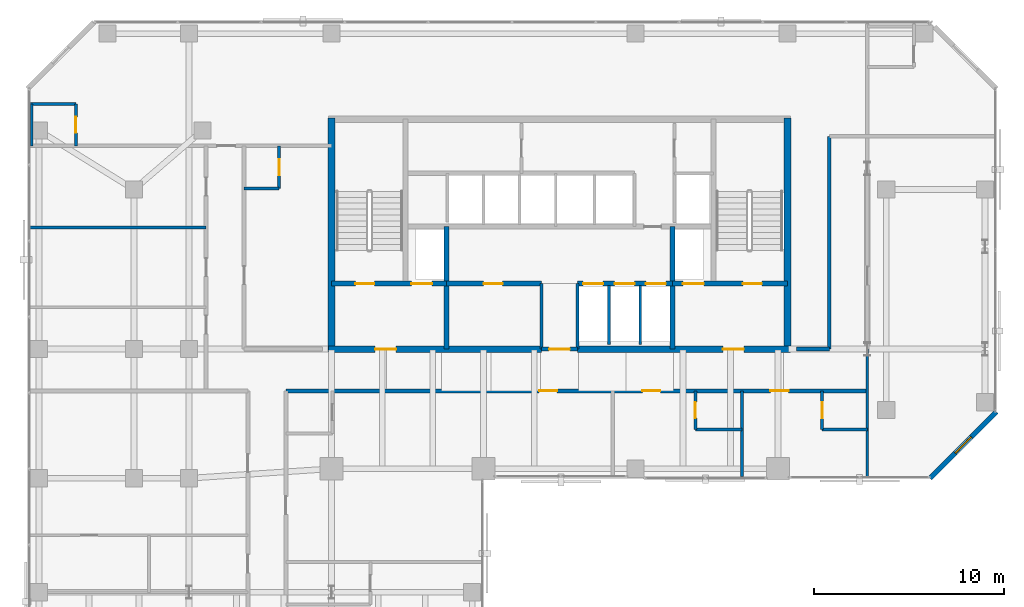
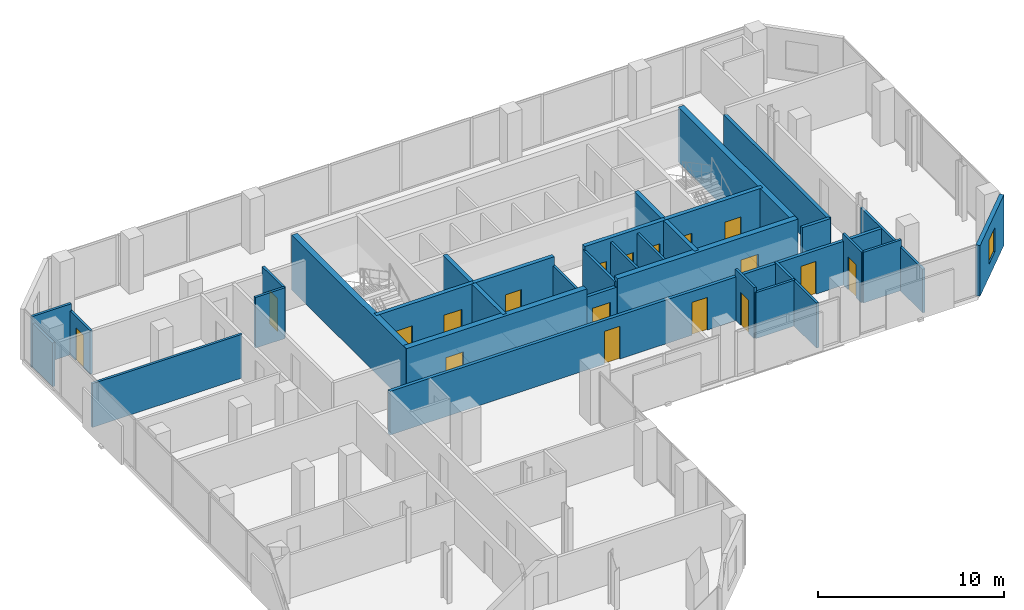
# One storey, part 29 of 34: 31 walls, 18 doors, 1 window, 19 openings.
"""IFC4 building model written with IfcOpenShell, lengths in metres."""

from ifc_helpers import new_model, si_unit, direction, frame, frame_2d, origin, place, context, subcontext, project, spatial, rectangle, extrude, material, layer, layer_set, type_object, element, fill, save


model = new_model("IFC4")

# Units and contexts
model_context = context("Model", 3, precision=1e-05, world=origin(), true_north=direction((0.0, 1.0)))
body_context = subcontext(model_context, "Body", "Model", "MODEL_VIEW")
ifc_project = project(units=[si_unit("LENGTHUNIT", "METRE"), si_unit("AREAUNIT", "SQUARE_METRE"), si_unit("VOLUMEUNIT", "CUBIC_METRE"), si_unit("PLANEANGLEUNIT", "RADIAN"), si_unit("MASSUNIT", "GRAM", prefix="KILO")], contexts=[model_context])

# Site, building, storey
site_placement = place(None, origin())
site = spatial("IfcSite", under=ifc_project, at=site_placement, CompositionType="ELEMENT")
building_placement = place(site_placement, origin())
building = spatial("IfcBuilding", under=site, at=building_placement, Name="Catumbela Crestline Tower", CompositionType="ELEMENT")
storey_placement = place(building_placement, frame((0.0, 0.0, 115.2)))
storey = spatial("IfcBuildingStorey", under=building, at=storey_placement, Name="L29", CompositionType="ELEMENT", Elevation=115.2)

# Walls
ifc_material_1 = material(Name="Concrete C50/60", Category="concrete")
ifc_layer_1 = layer(ifc_material_1, 0.25, Name="Concrete C50/60")
ifc_layer_set_1 = layer_set([ifc_layer_1], Name="Concrete C50/60")
wall_type_1 = type_object("IfcWallType", Name="CW-250D", PredefinedType="SHEAR", material=ifc_layer_set_1)
for number, where, z_axis, x_axis, name in (
    (1, (22.05, 30.8, 0.0), (0.0, 0.0, 1.0), (0.0, 1.0, 0.0), "L29 Structural Core Shear Wall FFW"),
    (2, (33.95, 30.8, 0.0), (0.0, 0.0, 1.0), (0.0, 1.0, 0.0), "L29 Structural Core Shear Wall FFE"),
):
    element("IfcWall", number, at=place(storey_placement, frame(where, z_axis=z_axis, x_axis=x_axis)), inside=storey, type_object=wall_type_1, Name=name, PredefinedType="SHEAR", context=body_context, shape_type="SweptSolid", body=[
        extrude(rectangle(XDim=6.45, YDim=0.25, at=frame_2d((3.225, 0.0))), origin(), (0.0, 0.0, 1.0), 3.6),
    ])

# Wall, openings, doors
wall_1_placement = place(storey_placement, frame((16.0, 34.25, 0.0), z_axis=(0.0, 0.0, 1.0), x_axis=(1.0, 0.0, 0.0)))
wall_1 = element("IfcWall", 3, at=wall_1_placement, inside=storey, type_object=wall_type_1, Name="L29 Structural Core Shear Wall ST1S", PredefinedType="SHEAR", context=body_context, shape_type="SweptSolid", body=[
    extrude(rectangle(XDim=6.05, YDim=0.25, at=frame_2d((3.025, 0.0))), origin(), (0.0, 0.0, 1.0), 3.6),
])
opening_1_placement = place(wall_1_placement, frame((1.25, 0.0, 0.0)))
opening_1 = element("IfcOpeningElement", 4, at=opening_1_placement, cuts=wall_1, Name="Opening DF9-100", PredefinedType="OPENING", context=body_context, shape_type="SweptSolid", body=[
    extrude(rectangle(XDim=1.0, YDim=2.15, at=frame_2d((0.5, 1.075))), frame((0.0, 0.135, 0.0), z_axis=(0.0, -1.0, 0.0), x_axis=(1.0, 0.0, 0.0)), (0.0, 0.0, 1.0), 0.27),
])
opening_2_placement = place(wall_1_placement, frame((4.2, 0.0, 0.0)))
opening_2 = element("IfcOpeningElement", 5, at=opening_2_placement, cuts=wall_1, Name="Opening LD-110", PredefinedType="OPENING", context=body_context, shape_type="SweptSolid", body=[
    extrude(rectangle(XDim=1.1, YDim=2.15, at=frame_2d((0.55, 1.075))), frame((0.0, 0.135, 0.0), z_axis=(0.0, -1.0, 0.0), x_axis=(1.0, 0.0, 0.0)), (0.0, 0.0, 1.0), 0.27),
])
ifc_material_2 = material(Name="Stainless steel EN 1.4401", Category="steel")
door_type_1 = type_object("IfcDoorType", Name="DF9-100", OperationType="NOTDEFINED", PredefinedType="DOOR", material=ifc_material_2)
door_1_placement = place(opening_1_placement, origin())
door_1 = element("IfcDoor", 6, at=door_1_placement, inside=storey, type_object=door_type_1, Name="L29 Interior Door DR-L29-ST01", OperationType="SINGLE_SWING_LEFT", OverallHeight=2.15, OverallWidth=1.0, PredefinedType="DOOR", context=body_context, shape_type="SweptSolid", body=[
    extrude(rectangle(XDim=1.0, YDim=2.15, at=frame_2d((0.5, 1.075))), frame((0.0, 0.025, 0.0), z_axis=(0.0, -1.0, 0.0), x_axis=(1.0, 0.0, 0.0)), (0.0, 0.0, 1.0), 0.05),
])
fill(opening_1, door_1)
door_type_2 = type_object("IfcDoorType", Name="LD-110", OperationType="NOTDEFINED", PredefinedType="DOOR", material=ifc_material_2)
door_2_placement = place(opening_2_placement, origin())
door_2 = element("IfcDoor", 7, at=door_2_placement, inside=storey, type_object=door_type_2, Name="L29 Lift Landing Sliding Door FL-01", OperationType="DOUBLE_DOOR_SLIDING", OverallHeight=2.15, OverallWidth=1.1, PredefinedType="DOOR", context=body_context, shape_type="SweptSolid", body=[
    extrude(rectangle(XDim=1.1, YDim=2.15, at=frame_2d((0.55, 1.075))), frame((0.0, 0.025, 0.0), z_axis=(0.0, -1.0, 0.0), x_axis=(1.0, 0.0, 0.0)), (0.0, 0.0, 1.0), 0.05),
])
fill(opening_2, door_2)

wall_2_placement = place(storey_placement, frame((33.95, 34.25, 0.0), z_axis=(0.0, 0.0, 1.0), x_axis=(1.0, 0.0, 0.0)))
wall_2 = element("IfcWall", 8, at=wall_2_placement, inside=storey, type_object=wall_type_1, Name="L29 Structural Core Shear Wall ST2S", PredefinedType="SHEAR", context=body_context, shape_type="SweptSolid", body=[
    extrude(rectangle(XDim=6.05, YDim=0.25, at=frame_2d((3.025, 0.0))), origin(), (0.0, 0.0, 1.0), 3.6),
])
opening_3_placement = place(wall_2_placement, frame((3.7, 0.0, 0.0)))
opening_3 = element("IfcOpeningElement", 9, at=opening_3_placement, cuts=wall_2, Name="Opening DF9-100", PredefinedType="OPENING", context=body_context, shape_type="SweptSolid", body=[
    extrude(rectangle(XDim=1.0, YDim=2.15, at=frame_2d((0.5, 1.075))), frame((0.0, 0.135, 0.0), z_axis=(0.0, -1.0, 0.0), x_axis=(1.0, 0.0, 0.0)), (0.0, 0.0, 1.0), 0.27),
])
opening_4_placement = place(wall_2_placement, frame((0.55, 0.0, 0.0)))
opening_4 = element("IfcOpeningElement", 10, at=opening_4_placement, cuts=wall_2, Name="Opening LD-110", PredefinedType="OPENING", context=body_context, shape_type="SweptSolid", body=[
    extrude(rectangle(XDim=1.1, YDim=2.15, at=frame_2d((0.55, 1.075))), frame((0.0, 0.135, 0.0), z_axis=(0.0, -1.0, 0.0), x_axis=(1.0, 0.0, 0.0)), (0.0, 0.0, 1.0), 0.27),
])
door_3_placement = place(opening_3_placement, origin())
door_3 = element("IfcDoor", 11, at=door_3_placement, inside=storey, type_object=door_type_1, Name="L29 Interior Door DR-L29-ST02", OperationType="SINGLE_SWING_RIGHT", OverallHeight=2.15, OverallWidth=1.0, PredefinedType="DOOR", context=body_context, shape_type="SweptSolid", body=[
    extrude(rectangle(XDim=1.0, YDim=2.15, at=frame_2d((0.5, 1.075))), frame((0.0, 0.025, 0.0), z_axis=(0.0, -1.0, 0.0), x_axis=(1.0, 0.0, 0.0)), (0.0, 0.0, 1.0), 0.05),
])
fill(opening_3, door_3)
door_4_placement = place(opening_4_placement, origin())
door_4 = element("IfcDoor", 12, at=door_4_placement, inside=storey, type_object=door_type_2, Name="L29 Lift Landing Sliding Door FL-02", OperationType="DOUBLE_DOOR_SLIDING", OverallHeight=2.15, OverallWidth=1.1, PredefinedType="DOOR", context=body_context, shape_type="SweptSolid", body=[
    extrude(rectangle(XDim=1.1, YDim=2.15, at=frame_2d((0.55, 1.075))), frame((0.0, 0.025, 0.0), z_axis=(0.0, -1.0, 0.0), x_axis=(1.0, 0.0, 0.0)), (0.0, 0.0, 1.0), 0.05),
])
fill(opening_4, door_4)

# Wall, opening, door
wall_3_placement = place(storey_placement, frame((22.05, 34.25, 0.0), z_axis=(0.0, 0.0, 1.0), x_axis=(1.0, 0.0, 0.0)))
wall_3 = element("IfcWall", 13, at=wall_3_placement, inside=storey, type_object=wall_type_1, Name="L29 Structural Core Shear Wall LIFTS-W", PredefinedType="SHEAR", context=body_context, shape_type="SweptSolid", body=[
    extrude(rectangle(XDim=5.0, YDim=0.25, at=frame_2d((2.5, 0.0))), origin(), (0.0, 0.0, 1.0), 3.6),
])
opening_5_placement = place(wall_3_placement, frame((1.95, 0.0, 0.0)))
opening_5 = element("IfcOpeningElement", 14, at=opening_5_placement, cuts=wall_3, Name="Opening DF9-100", PredefinedType="OPENING", context=body_context, shape_type="SweptSolid", body=[
    extrude(rectangle(XDim=1.0, YDim=2.15, at=frame_2d((0.5, 1.075))), frame((0.0, 0.135, 0.0), z_axis=(0.0, -1.0, 0.0), x_axis=(1.0, 0.0, 0.0)), (0.0, 0.0, 1.0), 0.27),
])
door_5_placement = place(opening_5_placement, origin())
door_5 = element("IfcDoor", 15, at=door_5_placement, inside=storey, type_object=door_type_1, Name="L29 Interior Door DR-L29-RECL1", OperationType="SINGLE_SWING_LEFT", OverallHeight=2.15, OverallWidth=1.0, PredefinedType="DOOR", context=body_context, shape_type="SweptSolid", body=[
    extrude(rectangle(XDim=1.0, YDim=2.15, at=frame_2d((0.5, 1.075))), frame((0.0, 0.025, 0.0), z_axis=(0.0, -1.0, 0.0), x_axis=(1.0, 0.0, 0.0)), (0.0, 0.0, 1.0), 0.05),
])
fill(opening_5, door_5)

# Wall, openings, doors
wall_4_placement = place(storey_placement, frame((28.95, 34.25, 0.0), z_axis=(0.0, 0.0, 1.0), x_axis=(1.0, 0.0, 0.0)))
wall_4 = element("IfcWall", 16, at=wall_4_placement, inside=storey, type_object=wall_type_1, Name="L29 Structural Core Shear Wall LIFTS-E", PredefinedType="SHEAR", context=body_context, shape_type="SweptSolid", body=[
    extrude(rectangle(XDim=5.0, YDim=0.25, at=frame_2d((2.5, 0.0))), origin(), (0.0, 0.0, 1.0), 3.6),
])
opening_6_placement = place(wall_4_placement, frame((0.3, 0.0, 0.0)))
opening_6 = element("IfcOpeningElement", 17, at=opening_6_placement, cuts=wall_4, Name="Opening LD-105", PredefinedType="OPENING", context=body_context, shape_type="SweptSolid", body=[
    extrude(rectangle(XDim=1.05, YDim=2.15, at=frame_2d((0.525, 1.075))), frame((0.0, 0.135, 0.0), z_axis=(0.0, -1.0, 0.0), x_axis=(1.0, 0.0, 0.0)), (0.0, 0.0, 1.0), 0.27),
])
opening_7_placement = place(wall_4_placement, frame((1.95, 0.0, 0.0)))
opening_7 = element("IfcOpeningElement", 18, at=opening_7_placement, cuts=wall_4, Name="Opening LD-105", PredefinedType="OPENING", context=body_context, shape_type="SweptSolid", body=[
    extrude(rectangle(XDim=1.05, YDim=2.15, at=frame_2d((0.525, 1.075))), frame((0.0, 0.135, 0.0), z_axis=(0.0, -1.0, 0.0), x_axis=(1.0, 0.0, 0.0)), (0.0, 0.0, 1.0), 0.27),
])
opening_8_placement = place(wall_4_placement, frame((3.6, 0.0, 0.0)))
opening_8 = element("IfcOpeningElement", 19, at=opening_8_placement, cuts=wall_4, Name="Opening LD-105", PredefinedType="OPENING", context=body_context, shape_type="SweptSolid", body=[
    extrude(rectangle(XDim=1.05, YDim=2.15, at=frame_2d((0.525, 1.075))), frame((0.0, 0.135, 0.0), z_axis=(0.0, -1.0, 0.0), x_axis=(1.0, 0.0, 0.0)), (0.0, 0.0, 1.0), 0.27),
])
door_type_3 = type_object("IfcDoorType", Name="LD-105", OperationType="NOTDEFINED", PredefinedType="DOOR", material=ifc_material_2)
door_6_placement = place(opening_6_placement, origin())
door_6 = element("IfcDoor", 20, at=door_6_placement, inside=storey, type_object=door_type_3, Name="L29 Lift Landing Sliding Door PL-M1", OperationType="DOUBLE_DOOR_SLIDING", OverallHeight=2.15, OverallWidth=1.05, PredefinedType="DOOR", context=body_context, shape_type="SweptSolid", body=[
    extrude(rectangle(XDim=1.05, YDim=2.15, at=frame_2d((0.525, 1.075))), frame((0.0, 0.025, 0.0), z_axis=(0.0, -1.0, 0.0), x_axis=(1.0, 0.0, 0.0)), (0.0, 0.0, 1.0), 0.05),
])
fill(opening_6, door_6)
door_7_placement = place(opening_7_placement, origin())
door_7 = element("IfcDoor", 21, at=door_7_placement, inside=storey, type_object=door_type_3, Name="L29 Lift Landing Sliding Door PL-M2", OperationType="DOUBLE_DOOR_SLIDING", OverallHeight=2.15, OverallWidth=1.05, PredefinedType="DOOR", context=body_context, shape_type="SweptSolid", body=[
    extrude(rectangle(XDim=1.05, YDim=2.15, at=frame_2d((0.525, 1.075))), frame((0.0, 0.025, 0.0), z_axis=(0.0, -1.0, 0.0), x_axis=(1.0, 0.0, 0.0)), (0.0, 0.0, 1.0), 0.05),
])
fill(opening_7, door_7)
door_8_placement = place(opening_8_placement, origin())
door_8 = element("IfcDoor", 22, at=door_8_placement, inside=storey, type_object=door_type_3, Name="L29 Lift Landing Sliding Door PL-M3", OperationType="DOUBLE_DOOR_SLIDING", OverallHeight=2.15, OverallWidth=1.05, PredefinedType="DOOR", context=body_context, shape_type="SweptSolid", body=[
    extrude(rectangle(XDim=1.05, YDim=2.15, at=frame_2d((0.525, 1.075))), frame((0.0, 0.025, 0.0), z_axis=(0.0, -1.0, 0.0), x_axis=(1.0, 0.0, 0.0)), (0.0, 0.0, 1.0), 0.05),
])
fill(opening_8, door_8)

# Walls
ifc_layer_2 = layer(ifc_material_1, 0.35, Name="Concrete C50/60")
ifc_layer_set_2 = layer_set([ifc_layer_2], Name="Concrete C50/60")
wall_type_2 = type_object("IfcWallType", Name="CW-350B", PredefinedType="SHEAR", material=ifc_layer_set_2)
for number, where, z_axis, x_axis, name in (
    (23, (16.0, 30.65, 0.0), (0.0, 0.0, 1.0), (0.0, 1.0, 0.0), "L29 Structural Core Shear Wall W"),
    (24, (40.0, 30.65, 0.0), (0.0, 0.0, 1.0), (0.0, 1.0, 0.0), "L29 Structural Core Shear Wall E"),
):
    element("IfcWall", number, at=place(storey_placement, frame(where, z_axis=z_axis, x_axis=x_axis)), inside=storey, type_object=wall_type_2, Name=name, PredefinedType="SHEAR", context=body_context, shape_type="SweptSolid", body=[
        extrude(rectangle(XDim=12.3, YDim=0.35, at=frame_2d((6.15, 0.0))), origin(), (0.0, 0.0, 1.0), 3.6),
    ])

# Wall, opening, door
wall_5_placement = place(storey_placement, frame((15.85, 30.8, 0.0), z_axis=(0.0, 0.0, 1.0), x_axis=(1.0, 0.0, 0.0)))
wall_5 = element("IfcWall", 25, at=wall_5_placement, inside=storey, type_object=wall_type_2, Name="L29 Structural Core Shear Wall SW", PredefinedType="SHEAR", context=body_context, shape_type="SweptSolid", body=[
    extrude(rectangle(XDim=11.2, YDim=0.35, at=frame_2d((5.6, 0.0))), origin(), (0.0, 0.0, 1.0), 3.6),
])
opening_9_placement = place(wall_5_placement, frame((2.45, 0.0, 0.0)))
opening_9 = element("IfcOpeningElement", 26, at=opening_9_placement, cuts=wall_5, Name="Opening DF9-110", PredefinedType="OPENING", context=body_context, shape_type="SweptSolid", body=[
    extrude(rectangle(XDim=1.1, YDim=2.15, at=frame_2d((0.55, 1.075))), frame((0.0, 0.185, 0.0), z_axis=(0.0, -1.0, 0.0), x_axis=(1.0, 0.0, 0.0)), (0.0, 0.0, 1.0), 0.37),
])
door_type_4 = type_object("IfcDoorType", Name="DF9-110", OperationType="NOTDEFINED", PredefinedType="DOOR", material=ifc_material_2)
door_9_placement = place(opening_9_placement, origin())
door_9 = element("IfcDoor", 27, at=door_9_placement, inside=storey, type_object=door_type_4, Name="L29 Interior Door DR-L29-FFW-S", OperationType="SINGLE_SWING_LEFT", OverallHeight=2.15, OverallWidth=1.1, PredefinedType="DOOR", context=body_context, shape_type="SweptSolid", body=[
    extrude(rectangle(XDim=1.1, YDim=2.15, at=frame_2d((0.55, 1.075))), frame((0.0, 0.025, 0.0), z_axis=(0.0, -1.0, 0.0), x_axis=(1.0, 0.0, 0.0)), (0.0, 0.0, 1.0), 0.05),
])
fill(opening_9, door_9)

wall_6_placement = place(storey_placement, frame((28.95, 30.8, 0.0), z_axis=(0.0, 0.0, 1.0), x_axis=(1.0, 0.0, 0.0)))
wall_6 = element("IfcWall", 28, at=wall_6_placement, inside=storey, type_object=wall_type_2, Name="L29 Structural Core Shear Wall SE", PredefinedType="SHEAR", context=body_context, shape_type="SweptSolid", body=[
    extrude(rectangle(XDim=11.2, YDim=0.35, at=frame_2d((5.6, 0.0))), origin(), (0.0, 0.0, 1.0), 3.6),
])
opening_10_placement = place(wall_6_placement, frame((7.65, 0.0, 0.0)))
opening_10 = element("IfcOpeningElement", 29, at=opening_10_placement, cuts=wall_6, Name="Opening DF9-110", PredefinedType="OPENING", context=body_context, shape_type="SweptSolid", body=[
    extrude(rectangle(XDim=1.1, YDim=2.15, at=frame_2d((0.55, 1.075))), frame((0.0, 0.185, 0.0), z_axis=(0.0, -1.0, 0.0), x_axis=(1.0, 0.0, 0.0)), (0.0, 0.0, 1.0), 0.37),
])
door_10_placement = place(opening_10_placement, origin())
door_10 = element("IfcDoor", 30, at=door_10_placement, inside=storey, type_object=door_type_4, Name="L29 Interior Door DR-L29-FFE-S", OperationType="SINGLE_SWING_RIGHT", OverallHeight=2.15, OverallWidth=1.1, PredefinedType="DOOR", context=body_context, shape_type="SweptSolid", body=[
    extrude(rectangle(XDim=1.1, YDim=2.15, at=frame_2d((0.55, 1.075))), frame((0.0, 0.025, 0.0), z_axis=(0.0, -1.0, 0.0), x_axis=(1.0, 0.0, 0.0)), (0.0, 0.0, 1.0), 0.05),
])
fill(opening_10, door_10)

ifc_material_3 = material(Name="Acoustic gypsum and mineral-wool partition")
ifc_layer_3 = layer(ifc_material_3, 0.2, Name="Acoustic gypsum and mineral-wool partition")
ifc_layer_set_3 = layer_set([ifc_layer_3], Name="Acoustic gypsum and mineral-wool partition")
wall_type_3 = type_object("IfcWallType", Name="WC-200", PredefinedType="PARTITIONING", material=ifc_layer_set_3)
wall_7_placement = place(storey_placement, frame((27.05, 30.8, 0.0), z_axis=(0.0, 0.0, 1.0), x_axis=(1.0, 0.0, 0.0)))
wall_7 = element("IfcWall", 31, at=wall_7_placement, inside=storey, type_object=wall_type_3, Name="L29 Interior Partition PW-L29-CLOBS", PredefinedType="PARTITIONING", context=body_context, shape_type="SweptSolid", body=[
    extrude(rectangle(XDim=1.9, YDim=0.2, at=frame_2d((0.95, 0.0))), origin(), (0.0, 0.0, 1.0), 3.01),
])
opening_11_placement = place(wall_7_placement, frame((0.4, 0.0, 0.0)))
opening_11 = element("IfcOpeningElement", 32, at=opening_11_placement, cuts=wall_7, Name="Opening DF9-110", PredefinedType="OPENING", context=body_context, shape_type="SweptSolid", body=[
    extrude(rectangle(XDim=1.1, YDim=2.15, at=frame_2d((0.55, 1.075))), frame((0.0, 0.11, 0.0), z_axis=(0.0, -1.0, 0.0), x_axis=(1.0, 0.0, 0.0)), (0.0, 0.0, 1.0), 0.22),
])
door_11_placement = place(opening_11_placement, origin())
door_11 = element("IfcDoor", 33, at=door_11_placement, inside=storey, type_object=door_type_4, Name="L29 Interior Door DR-L29-CLOBS", OperationType="SINGLE_SWING_LEFT", OverallHeight=2.15, OverallWidth=1.1, PredefinedType="DOOR", context=body_context, shape_type="SweptSolid", body=[
    extrude(rectangle(XDim=1.1, YDim=2.15, at=frame_2d((0.55, 1.075))), frame((0.0, 0.025, 0.0), z_axis=(0.0, -1.0, 0.0), x_axis=(1.0, 0.0, 0.0)), (0.0, 0.0, 1.0), 0.05),
])
fill(opening_11, door_11)

# Wall, openings, doors
wall_8_placement = place(storey_placement, frame((13.6, 28.6, 0.0), z_axis=(0.0, 0.0, 1.0), x_axis=(1.0, 0.0, 0.0)))
wall_8 = element("IfcWall", 34, at=wall_8_placement, inside=storey, type_object=wall_type_3, Name="L29 Interior Partition PW-L29-Z2CW-N2", PredefinedType="PARTITIONING", context=body_context, shape_type="SweptSolid", body=[
    extrude(rectangle(XDim=30.6, YDim=0.2, at=frame_2d((15.3, 0.0))), origin(), (0.0, 0.0, 1.0), 2.87),
])
opening_12_placement = place(wall_8_placement, frame((13.325, 0.0, 0.0)))
opening_12 = element("IfcOpeningElement", 35, at=opening_12_placement, cuts=wall_8, Name="Opening DF6-095", PredefinedType="OPENING", context=body_context, shape_type="SweptSolid", body=[
    extrude(rectangle(XDim=0.95, YDim=2.15, at=frame_2d((0.475, 1.075))), frame((0.0, 0.11, 0.0), z_axis=(0.0, -1.0, 0.0), x_axis=(1.0, 0.0, 0.0)), (0.0, 0.0, 1.0), 0.22),
])
opening_13_placement = place(wall_8_placement, frame((18.7609, 0.0, 0.0)))
opening_13 = element("IfcOpeningElement", 36, at=opening_13_placement, cuts=wall_8, Name="Opening DF6-095", PredefinedType="OPENING", context=body_context, shape_type="SweptSolid", body=[
    extrude(rectangle(XDim=0.95, YDim=2.15, at=frame_2d((0.475, 1.075))), frame((0.0, 0.11, 0.0), z_axis=(0.0, -1.0, 0.0), x_axis=(1.0, 0.0, 0.0)), (0.0, 0.0, 1.0), 0.22),
])
opening_14_placement = place(wall_8_placement, frame((25.5033, 0.0, 0.0)))
opening_14 = element("IfcOpeningElement", 37, at=opening_14_placement, cuts=wall_8, Name="Opening DF6-095", PredefinedType="OPENING", context=body_context, shape_type="SweptSolid", body=[
    extrude(rectangle(XDim=0.95, YDim=2.15, at=frame_2d((0.475, 1.075))), frame((0.0, 0.11, 0.0), z_axis=(0.0, -1.0, 0.0), x_axis=(1.0, 0.0, 0.0)), (0.0, 0.0, 1.0), 0.22),
])
ifc_material_4 = material(Name="Aluminium alloy AW-6060-T66", Category="aluminium")
door_type_5 = type_object("IfcDoorType", Name="DF6-095", OperationType="NOTDEFINED", PredefinedType="DOOR", material=ifc_material_4)
door_12_placement = place(opening_12_placement, origin())
door_12 = element("IfcDoor", 38, at=door_12_placement, inside=storey, type_object=door_type_5, Name="L29 Interior Door DR-L29-SS1-ENT", OperationType="SINGLE_SWING_RIGHT", OverallHeight=2.15, OverallWidth=0.95, PredefinedType="DOOR", context=body_context, shape_type="SweptSolid", body=[
    extrude(rectangle(XDim=0.95, YDim=2.15, at=frame_2d((0.475, 1.075))), frame((0.0, 0.025, 0.0), z_axis=(0.0, -1.0, 0.0), x_axis=(1.0, 0.0, 0.0)), (0.0, 0.0, 1.0), 0.05),
])
fill(opening_12, door_12)
door_13_placement = place(opening_13_placement, origin())
door_13 = element("IfcDoor", 39, at=door_13_placement, inside=storey, type_object=door_type_5, Name="L29 Interior Door DR-L29-SS2-ENT", OperationType="SINGLE_SWING_LEFT", OverallHeight=2.15, OverallWidth=0.95, PredefinedType="DOOR", context=body_context, shape_type="SweptSolid", body=[
    extrude(rectangle(XDim=0.95, YDim=2.15, at=frame_2d((0.475, 1.075))), frame((0.0, 0.025, 0.0), z_axis=(0.0, -1.0, 0.0), x_axis=(1.0, 0.0, 0.0)), (0.0, 0.0, 1.0), 0.05),
])
fill(opening_13, door_13)
door_14_placement = place(opening_14_placement, origin())
door_14 = element("IfcDoor", 40, at=door_14_placement, inside=storey, type_object=door_type_5, Name="L29 Interior Door DR-L29-SS3-ENT", OperationType="SINGLE_SWING_RIGHT", OverallHeight=2.15, OverallWidth=0.95, PredefinedType="DOOR", context=body_context, shape_type="SweptSolid", body=[
    extrude(rectangle(XDim=0.95, YDim=2.15, at=frame_2d((0.475, 1.075))), frame((0.0, 0.025, 0.0), z_axis=(0.0, -1.0, 0.0), x_axis=(1.0, 0.0, 0.0)), (0.0, 0.0, 1.0), 0.05),
])
fill(opening_14, door_14)

# Walls
wall_9_placement = place(storey_placement, frame((40.47, 30.8, 0.0), z_axis=(0.0, 0.0, 1.0), x_axis=(1.0, 0.0, 0.0)))
element("IfcWall", 41, at=wall_9_placement, inside=storey, type_object=wall_type_3, Name="L29 Interior Partition PW-L29-Z2CW-E1", PredefinedType="PARTITIONING", context=body_context, shape_type="SweptSolid", body=[
    extrude(rectangle(XDim=1.73, YDim=0.2, at=frame_2d((0.865, 0.0))), origin(), (0.0, 0.0, 1.0), 2.87),
])
wall_10_placement = place(storey_placement, frame((42.2, 30.8, 0.0), z_axis=(0.0, 0.0, 1.0), x_axis=(0.0, 1.0, 0.0)))
element("IfcWall", 42, at=wall_10_placement, inside=storey, type_object=wall_type_3, Name="L29 Interior Partition PW-L29-Z2CW-E2", PredefinedType="PARTITIONING", context=body_context, shape_type="SweptSolid", body=[
    extrude(rectangle(XDim=11.2, YDim=0.2, at=frame_2d((5.6, 0.0))), origin(), (0.0, 0.0, 1.0), 2.87),
])

# Wall, opening, window
ifc_material_5 = material(Name="Angolan grey-ochre granite", Category="masonry")
ifc_layer_4 = layer(ifc_material_5, 0.25, Name="Angolan grey-ochre granite")
ifc_layer_set_4 = layer_set([ifc_layer_4], Name="Angolan grey-ochre granite")
wall_type_4 = type_object("IfcWallType", Name="WE-250", PredefinedType="STANDARD", material=ifc_layer_set_4)
wall_11_placement = place(storey_placement, frame((47.5, 24.0, 0.0), z_axis=(0.0, 0.0, 1.0), x_axis=(0.707106781187, 0.707106781187, 0.0)))
wall_11 = element("IfcWall", 43, at=wall_11_placement, inside=storey, type_object=wall_type_4, Name="L29 Granite Punched Window Wall 4-1", PredefinedType="STANDARD", context=body_context, shape_type="SweptSolid", body=[
    extrude(rectangle(XDim=4.9497, YDim=0.25, at=frame_2d((2.4748, 0.0))), origin(), (0.0, 0.0, 1.0), 3.33),
])
opening_15_placement = place(wall_11_placement, frame((1.8748, 0.0, 0.85)))
opening_15 = element("IfcOpeningElement", 44, at=opening_15_placement, cuts=wall_11, Name="Opening WN-02", PredefinedType="OPENING", context=body_context, shape_type="SweptSolid", body=[
    extrude(rectangle(XDim=1.2, YDim=1.6, at=frame_2d((0.6, 0.8))), frame((0.0, 0.135, 0.0), z_axis=(0.0, -1.0, 0.0), x_axis=(1.0, 0.0, 0.0)), (0.0, 0.0, 1.0), 0.27),
])
ifc_material_6 = material(Name="Low-E laminated solar-control double glazing", Category="glass")
window_type = type_object("IfcWindowType", Name="WO-1200", PartitioningType="SINGLE_PANEL", PredefinedType="WINDOW", material=ifc_material_6)
window_placement = place(opening_15_placement, origin())
window = element("IfcWindow", 45, at=window_placement, inside=storey, type_object=window_type, Name="L29 Facade Vision Window 166", OverallHeight=1.6, OverallWidth=1.2, PartitioningType="SINGLE_PANEL", PredefinedType="WINDOW", context=body_context, shape_type="SweptSolid", body=[
    extrude(rectangle(XDim=1.2, YDim=1.6, at=frame_2d((0.6, 0.8))), frame((0.0, 0.03, 0.0), z_axis=(0.0, -1.0, 0.0), x_axis=(1.0, 0.0, 0.0)), (0.0, 0.0, 1.0), 0.06),
])
fill(opening_15, window)

# Wall
ifc_layer_5 = layer(ifc_material_3, 0.15, Name="Acoustic gypsum and mineral-wool partition")
ifc_layer_set_5 = layer_set([ifc_layer_5], Name="Acoustic gypsum and mineral-wool partition")
wall_type_5 = type_object("IfcWallType", Name="WP-150", PredefinedType="PARTITIONING", material=ifc_layer_set_5)
wall_12_placement = place(storey_placement, frame((0.1, 43.7, 0.0), z_axis=(0.0, 0.0, 1.0), x_axis=(1.0, 0.0, 0.0)))
element("IfcWall", 46, at=wall_12_placement, inside=storey, type_object=wall_type_5, Name="L29 Interior Partition PW-L29-Z2NWT-BHW", PredefinedType="PARTITIONING", context=body_context, shape_type="SweptSolid", body=[
    extrude(rectangle(XDim=2.45, YDim=0.15, at=frame_2d((1.225, 0.0))), origin(), (0.0, 0.0, 1.0), 3.33),
])

# Wall, opening, door
wall_13_placement = place(storey_placement, frame((2.55, 41.5, 0.0), z_axis=(0.0, 0.0, 1.0), x_axis=(0.0, 1.0, 0.0)))
wall_13 = element("IfcWall", 47, at=wall_13_placement, inside=storey, type_object=wall_type_5, Name="L29 Interior Partition PW-L29-Z2NWT-BEW", PredefinedType="PARTITIONING", context=body_context, shape_type="SweptSolid", body=[
    extrude(rectangle(XDim=2.2, YDim=0.15, at=frame_2d((1.1, 0.0))), origin(), (0.0, 0.0, 1.0), 2.87),
])
opening_16_placement = place(wall_13_placement, frame((0.675, 0.0, 0.0)))
opening_16 = element("IfcOpeningElement", 48, at=opening_16_placement, cuts=wall_13, Name="Opening DI-085", PredefinedType="OPENING", context=body_context, shape_type="SweptSolid", body=[
    extrude(rectangle(XDim=0.85, YDim=2.15, at=frame_2d((0.425, 1.075))), frame((0.0, 0.085, 0.0), z_axis=(0.0, -1.0, 0.0), x_axis=(1.0, 0.0, 0.0)), (0.0, 0.0, 1.0), 0.17),
])
door_type_6 = type_object("IfcDoorType", Name="DI-085", OperationType="NOTDEFINED", PredefinedType="DOOR", material=ifc_material_4)
door_15_placement = place(opening_16_placement, origin())
door_15 = element("IfcDoor", 49, at=door_15_placement, inside=storey, type_object=door_type_6, Name="L29 Interior Door DR-L29-Z2NWT-BTH", OperationType="SINGLE_SWING_LEFT", OverallHeight=2.15, OverallWidth=0.85, PredefinedType="DOOR", context=body_context, shape_type="SweptSolid", body=[
    extrude(rectangle(XDim=0.85, YDim=2.15, at=frame_2d((0.425, 1.075))), frame((0.0, 0.025, 0.0), z_axis=(0.0, -1.0, 0.0), x_axis=(1.0, 0.0, 0.0)), (0.0, 0.0, 1.0), 0.05),
])
fill(opening_16, door_15)

# Walls
wall_14_placement = place(storey_placement, frame((0.22, 41.5, 0.0), z_axis=(0.0, 0.0, 1.0), x_axis=(0.0, 1.0, 0.0)))
element("IfcWall", 50, at=wall_14_placement, inside=storey, type_object=wall_type_5, Name="L29 Interior Partition PW-L29-Z2NWT-BCL-2", PredefinedType="PARTITIONING", context=body_context, shape_type="SweptSolid", body=[
    extrude(rectangle(XDim=2.2, YDim=0.15, at=frame_2d((1.1, 0.0))), origin(), (0.0, 0.0, 1.0), 2.87),
])
wall_15_placement = place(storey_placement, frame((0.1, 37.2, 0.0), z_axis=(0.0, 0.0, 1.0), x_axis=(1.0, 0.0, 0.0)))
element("IfcWall", 51, at=wall_15_placement, inside=storey, type_object=wall_type_5, Name="L29 Interior Partition PW-L29-Z2G2-2", PredefinedType="PARTITIONING", context=body_context, shape_type="SweptSolid", body=[
    extrude(rectangle(XDim=9.3, YDim=0.15, at=frame_2d((4.65, 0.0))), origin(), (0.0, 0.0, 1.0), 2.87),
])
wall_16_placement = place(storey_placement, frame((11.4, 39.25, 0.0), z_axis=(0.0, 0.0, 1.0), x_axis=(1.0, 0.0, 0.0)))
element("IfcWall", 52, at=wall_16_placement, inside=storey, type_object=wall_type_5, Name="L29 Interior Partition PW-L29-Z2FS1-BSW", PredefinedType="PARTITIONING", context=body_context, shape_type="SweptSolid", body=[
    extrude(rectangle(XDim=1.84, YDim=0.15, at=frame_2d((0.92, 0.0))), origin(), (0.0, 0.0, 1.0), 3.33),
])

# Wall, opening, door
wall_17_placement = place(storey_placement, frame((13.24, 39.25, 0.0), z_axis=(0.0, 0.0, 1.0), x_axis=(0.0, 1.0, 0.0)))
wall_17 = element("IfcWall", 53, at=wall_17_placement, inside=storey, type_object=wall_type_5, Name="L29 Interior Partition PW-L29-Z2FS1-BEW", PredefinedType="PARTITIONING", context=body_context, shape_type="SweptSolid", body=[
    extrude(rectangle(XDim=2.25, YDim=0.15, at=frame_2d((1.125, 0.0))), origin(), (0.0, 0.0, 1.0), 3.33),
])
opening_17_placement = place(wall_17_placement, frame((0.7, 0.0, 0.0)))
opening_17 = element("IfcOpeningElement", 54, at=opening_17_placement, cuts=wall_17, Name="Opening DI-085", PredefinedType="OPENING", context=body_context, shape_type="SweptSolid", body=[
    extrude(rectangle(XDim=0.85, YDim=2.15, at=frame_2d((0.425, 1.075))), frame((0.0, 0.085, 0.0), z_axis=(0.0, -1.0, 0.0), x_axis=(1.0, 0.0, 0.0)), (0.0, 0.0, 1.0), 0.17),
])
door_16_placement = place(opening_17_placement, origin())
door_16 = element("IfcDoor", 55, at=door_16_placement, inside=storey, type_object=door_type_6, Name="L29 Interior Door DR-L29-Z2FS1-BTH", OperationType="SINGLE_SWING_LEFT", OverallHeight=2.15, OverallWidth=0.85, PredefinedType="DOOR", context=body_context, shape_type="SweptSolid", body=[
    extrude(rectangle(XDim=0.85, YDim=2.15, at=frame_2d((0.425, 1.075))), frame((0.0, 0.025, 0.0), z_axis=(0.0, -1.0, 0.0), x_axis=(1.0, 0.0, 0.0)), (0.0, 0.0, 1.0), 0.05),
])
fill(opening_17, door_16)

# Wall
wall_18_placement = place(storey_placement, frame((35.152, 26.576, 0.0), z_axis=(0.0, 0.0, 1.0), x_axis=(1.0, 0.0, 0.0)))
element("IfcWall", 56, at=wall_18_placement, inside=storey, type_object=wall_type_5, Name="L29 Interior Partition PW-L29-SS2-BHW", PredefinedType="PARTITIONING", context=body_context, shape_type="SweptSolid", body=[
    extrude(rectangle(XDim=2.448, YDim=0.15, at=frame_2d((1.224, 0.0))), origin(), (0.0, 0.0, 1.0), 3.01),
])

# Wall, opening, door
wall_19_placement = place(storey_placement, frame((35.152, 26.576, 0.0), z_axis=(0.0, 0.0, 1.0), x_axis=(0.0, 1.0, 0.0)))
wall_19 = element("IfcWall", 57, at=wall_19_placement, inside=storey, type_object=wall_type_5, Name="L29 Interior Partition PW-L29-SS2-BWW", PredefinedType="PARTITIONING", context=body_context, shape_type="SweptSolid", body=[
    extrude(rectangle(XDim=2.024, YDim=0.15, at=frame_2d((1.012, 0.0))), origin(), (0.0, 0.0, 1.0), 3.33),
])
opening_18_placement = place(wall_19_placement, frame((0.587, 0.0, 0.0)))
opening_18 = element("IfcOpeningElement", 58, at=opening_18_placement, cuts=wall_19, Name="Opening DI-085", PredefinedType="OPENING", context=body_context, shape_type="SweptSolid", body=[
    extrude(rectangle(XDim=0.85, YDim=2.15, at=frame_2d((0.425, 1.075))), frame((0.0, 0.085, 0.0), z_axis=(0.0, -1.0, 0.0), x_axis=(1.0, 0.0, 0.0)), (0.0, 0.0, 1.0), 0.17),
])
door_17_placement = place(opening_18_placement, origin())
door_17 = element("IfcDoor", 59, at=door_17_placement, inside=storey, type_object=door_type_6, Name="L29 Interior Door DR-L29-SS2-BTH", OperationType="SINGLE_SWING_RIGHT", OverallHeight=2.15, OverallWidth=0.85, PredefinedType="DOOR", context=body_context, shape_type="SweptSolid", body=[
    extrude(rectangle(XDim=0.85, YDim=2.15, at=frame_2d((0.425, 1.075))), frame((0.0, 0.025, 0.0), z_axis=(0.0, -1.0, 0.0), x_axis=(1.0, 0.0, 0.0)), (0.0, 0.0, 1.0), 0.05),
])
fill(opening_18, door_17)

# Walls
wall_20_placement = place(storey_placement, frame((37.6, 28.6, 0.0), z_axis=(0.0, 0.0, 1.0), x_axis=(0.0, -1.0, 0.0)))
element("IfcWall", 60, at=wall_20_placement, inside=storey, type_object=wall_type_5, Name="L29 Interior Partition PW-L29-SS2-BCL-2", PredefinedType="PARTITIONING", context=body_context, shape_type="SweptSolid", body=[
    extrude(rectangle(XDim=4.5, YDim=0.15, at=frame_2d((2.25, 0.0))), origin(), (0.0, 0.0, 1.0), 2.96),
])
wall_21_placement = place(storey_placement, frame((41.824, 26.576, 0.0), z_axis=(0.0, 0.0, 1.0), x_axis=(1.0, 0.0, 0.0)))
element("IfcWall", 61, at=wall_21_placement, inside=storey, type_object=wall_type_5, Name="L29 Interior Partition PW-L29-SS3-BHW", PredefinedType="PARTITIONING", context=body_context, shape_type="SweptSolid", body=[
    extrude(rectangle(XDim=2.376, YDim=0.15, at=frame_2d((1.188, 0.0))), origin(), (0.0, 0.0, 1.0), 3.33),
])

# Wall, opening, door
wall_22_placement = place(storey_placement, frame((41.824, 26.576, 0.0), z_axis=(0.0, 0.0, 1.0), x_axis=(0.0, 1.0, 0.0)))
wall_22 = element("IfcWall", 62, at=wall_22_placement, inside=storey, type_object=wall_type_5, Name="L29 Interior Partition PW-L29-SS3-BWW", PredefinedType="PARTITIONING", context=body_context, shape_type="SweptSolid", body=[
    extrude(rectangle(XDim=2.024, YDim=0.15, at=frame_2d((1.012, 0.0))), origin(), (0.0, 0.0, 1.0), 3.33),
])
opening_19_placement = place(wall_22_placement, frame((0.587, 0.0, 0.0)))
opening_19 = element("IfcOpeningElement", 63, at=opening_19_placement, cuts=wall_22, Name="Opening DI-085", PredefinedType="OPENING", context=body_context, shape_type="SweptSolid", body=[
    extrude(rectangle(XDim=0.85, YDim=2.15, at=frame_2d((0.425, 1.075))), frame((0.0, 0.085, 0.0), z_axis=(0.0, -1.0, 0.0), x_axis=(1.0, 0.0, 0.0)), (0.0, 0.0, 1.0), 0.17),
])
door_18_placement = place(opening_19_placement, origin())
door_18 = element("IfcDoor", 64, at=door_18_placement, inside=storey, type_object=door_type_6, Name="L29 Interior Door DR-L29-SS3-BTH", OperationType="SINGLE_SWING_RIGHT", OverallHeight=2.15, OverallWidth=0.85, PredefinedType="DOOR", context=body_context, shape_type="SweptSolid", body=[
    extrude(rectangle(XDim=0.85, YDim=2.15, at=frame_2d((0.425, 1.075))), frame((0.0, 0.025, 0.0), z_axis=(0.0, -1.0, 0.0), x_axis=(1.0, 0.0, 0.0)), (0.0, 0.0, 1.0), 0.05),
])
fill(opening_19, door_18)

# Walls
wall_23_placement = place(storey_placement, frame((44.2, 30.8, 0.0), z_axis=(0.0, 0.0, 1.0), x_axis=(0.0, -1.0, 0.0)))
element("IfcWall", 65, at=wall_23_placement, inside=storey, type_object=wall_type_5, Name="L29 Interior Partition PW-L29-SS3-BCL-2", PredefinedType="PARTITIONING", context=body_context, shape_type="SweptSolid", body=[
    extrude(rectangle(XDim=6.7, YDim=0.15, at=frame_2d((3.35, 0.0))), origin(), (0.0, 0.0, 1.0), 2.87),
])
ifc_layer_6 = layer(ifc_material_3, 0.15, Name="Acoustic gypsum and mineral-wool partition")
ifc_layer_set_6 = layer_set([ifc_layer_6], Name="Acoustic gypsum and mineral-wool partition")
wall_type_6 = type_object("IfcWallType", Name="WS-150", PredefinedType="PLUMBINGWALL", material=ifc_layer_set_6)
wall_24_placement = place(storey_placement, frame((27.05, 30.8, 0.0), z_axis=(0.0, 0.0, 1.0), x_axis=(0.0, 1.0, 0.0)))
element("IfcWall", 66, at=wall_24_placement, inside=storey, type_object=wall_type_6, Name="L29 Interior Partition PW-L29-THRW", PredefinedType="PLUMBINGWALL", context=body_context, shape_type="SweptSolid", body=[
    extrude(rectangle(XDim=3.45, YDim=0.15, at=frame_2d((1.725, 0.0))), origin(), (0.0, 0.0, 1.0), 3.01),
])
wall_25_placement = place(storey_placement, frame((28.95, 30.8, 0.0), z_axis=(0.0, 0.0, 1.0), x_axis=(0.0, 1.0, 0.0)))
element("IfcWall", 67, at=wall_25_placement, inside=storey, type_object=wall_type_6, Name="L29 Interior Partition PW-L29-THRE", PredefinedType="PLUMBINGWALL", context=body_context, shape_type="SweptSolid", body=[
    extrude(rectangle(XDim=3.45, YDim=0.15, at=frame_2d((1.725, 0.0))), origin(), (0.0, 0.0, 1.0), 3.33),
])
for number, where, z_axis, x_axis, name in (
    (68, (30.6, 31.05, 0.0), (0.0, 0.0, 1.0), (0.0, 1.0, 0.0), "L29 Interior Partition PW-L29-SHM1"),
    (69, (32.25, 31.05, 0.0), (0.0, 0.0, 1.0), (0.0, 1.0, 0.0), "L29 Interior Partition PW-L29-SHM2"),
):
    element("IfcWall", number, at=place(storey_placement, frame(where, z_axis=z_axis, x_axis=x_axis)), inside=storey, type_object=wall_type_6, Name=name, PredefinedType="PLUMBINGWALL", context=body_context, shape_type="SweptSolid", body=[
        extrude(rectangle(XDim=3.1, YDim=0.15, at=frame_2d((1.55, 0.0))), origin(), (0.0, 0.0, 1.0), 3.33),
    ])

save(model, "model.ifc")
